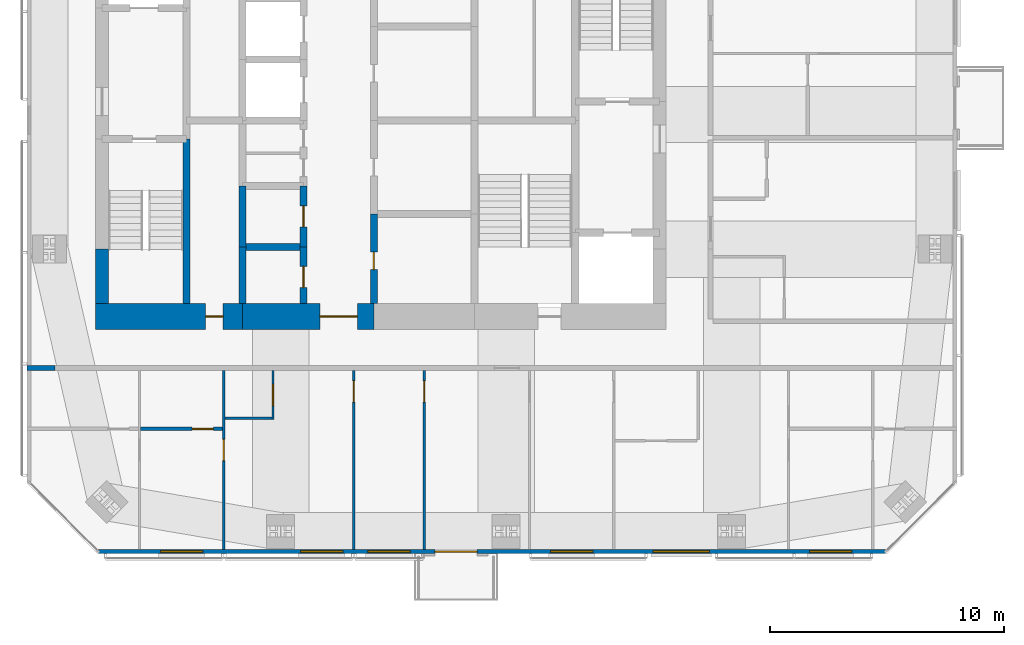
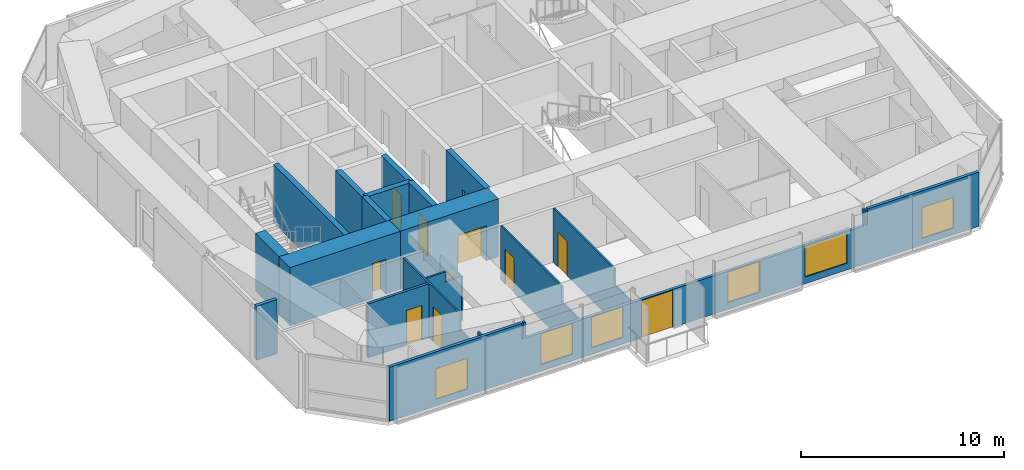
# One storey, part 13 of 18: 18 walls, 11 doors, 6 windows, 17 openings.
"""IFC4 building model written with IfcOpenShell, lengths in metres."""

from ifc_helpers import new_model, si_unit, direction, frame, frame_2d, origin, place, context, subcontext, project, spatial, polyline, rectangle, outline, extrude, material, layer, layer_set, constituent, constituent_set, type_object, element, fill, save


model = new_model("IFC4")

# Units and contexts
model_context = context("Model", 3, precision=1e-05, world=origin(), true_north=direction((0.0, 1.0)))
body_context = subcontext(model_context, "Body", "Model", "MODEL_VIEW")
ifc_project = project(units=[si_unit("LENGTHUNIT", "METRE"), si_unit("AREAUNIT", "SQUARE_METRE"), si_unit("VOLUMEUNIT", "CUBIC_METRE"), si_unit("PLANEANGLEUNIT", "RADIAN"), si_unit("MASSUNIT", "GRAM", prefix="KILO")], contexts=[model_context])

# Site, building, storey
site_placement = place(None, origin())
site = spatial("IfcSite", under=ifc_project, at=site_placement, CompositionType="ELEMENT")
building_placement = place(site_placement, origin())
building = spatial("IfcBuilding", under=site, at=building_placement, Name="Jalousie Tower", CompositionType="ELEMENT")
storey_placement = place(building_placement, frame((0.0, 0.0, 252.949951171875)))
storey = spatial("IfcBuildingStorey", under=building, at=storey_placement, Name="L69", CompositionType="ELEMENT", Elevation=252.949951171875)

# Wall, opening, door
ifc_material_1 = material(Name="Concrete block ASTM C90", Category="concrete")
ifc_constituent_1 = constituent(ifc_material_1, Name="Body")
ifc_material_2 = material(Name="Render")
ifc_constituent_2 = constituent(ifc_material_2, Name="Finish")
ifc_constituent_set_1 = constituent_set(constituents=[ifc_constituent_1, ifc_constituent_2])
wall_type_1 = type_object("IfcWallType", Name="BATHROOM WALL 150", PredefinedType="PLUMBINGWALL", material=ifc_constituent_set_1)
wall_1_placement = place(storey_placement, frame((21.64990234375, 5.324951171875, 0.0), z_axis=(0.0, 0.0, 1.0), x_axis=(1.0, 0.0, 0.0)))
wall_1 = element("IfcWall", 1, at=wall_1_placement, inside=storey, type_object=wall_type_1, Name="Bathroom Wall 150 L69", PredefinedType="PLUMBINGWALL", context=body_context, shape_type="SweptSolid", body=[
    extrude(rectangle(XDim=3.5, YDim=0.14990234375, at=frame_2d((1.75, 0.0))), origin(), (0.0, 0.0, 1.0), 3.260009765625),
])
opening_1_placement = place(wall_1_placement, frame((2.199951171875, 0.0, 0.0)))
opening_1 = element("IfcOpeningElement", 2, at=opening_1_placement, cuts=wall_1, Name="Opening D3", PredefinedType="OPENING", context=body_context, shape_type="SweptSolid", body=[
    extrude(rectangle(XDim=0.89990234375, YDim=2.10009765625, at=frame_2d((0.449951171875, 1.050048828125))), frame((0.0, 0.0849609375, 0.0), z_axis=(0.0, -1.0, 0.0), x_axis=(1.0, 0.0, 0.0)), (0.0, 0.0, 1.0), 0.169921875),
])
ifc_material_3 = material(Name="Timber door", Category="wood")
door_type_1 = type_object("IfcDoorType", Name="BATHROOM DOOR 900", OperationType="SINGLE_SWING_LEFT", PredefinedType="DOOR", material=ifc_material_3)
door_1_placement = place(opening_1_placement, origin())
door_1 = element("IfcDoor", 3, at=door_1_placement, inside=storey, type_object=door_type_1, Name="Apartment 6901 bedroom 2 bathroom door", OperationType="SINGLE_SWING_RIGHT", OverallHeight=2.10009765625, OverallWidth=0.89990234375, PredefinedType="DOOR", context=body_context, shape_type="SweptSolid", body=[
    extrude(rectangle(XDim=0.89990234375, YDim=2.10009765625, at=frame_2d((0.449951171875, 1.050048828125))), frame((0.0, 0.02490234375, 0.0), z_axis=(0.0, -1.0, 0.0), x_axis=(1.0, 0.0, 0.0)), (0.0, 0.0, 1.0), 0.050048828125),
])
fill(opening_1, door_1)

ifc_material_4 = material(Name="Concrete f'c 120 MPa", Category="concrete")
ifc_layer_1 = layer(ifc_material_4, 1.10009765625)
ifc_layer_set_1 = layer_set([ifc_layer_1], Name="Concrete f'c 120 MPa")
wall_type_2 = type_object("IfcWallType", Name="CORE WALL 1100", PredefinedType="SHEAR", material=ifc_layer_set_1)
wall_2_placement = place(storey_placement, frame((19.72509765625, 10.125, 0.0), z_axis=(0.0, 0.0, 1.0), x_axis=(1.0, 0.0, 0.0)))
wall_2 = element("IfcWall", 4, at=wall_2_placement, inside=storey, type_object=wall_type_2, Name="Core wall SA L69", PredefinedType="SHEAR", context=body_context, shape_type="SweptSolid", body=[
    extrude(rectangle(XDim=6.27490234375, YDim=1.10009765625, at=frame_2d((3.137451171875, 0.0))), origin(), (0.0, 0.0, 1.0), 3.5),
])
opening_2_placement = place(wall_2_placement, frame((4.699951171875, 0.0, 0.0)))
opening_2 = element("IfcOpeningElement", 5, at=opening_2_placement, cuts=wall_2, Name="Opening D16", PredefinedType="OPENING", context=body_context, shape_type="SweptSolid", body=[
    extrude(rectangle(XDim=0.75, YDim=2.10009765625, at=frame_2d((0.375, 1.050048828125))), frame((0.0, 0.56005859375, 0.0), z_axis=(0.0, -1.0, 0.0), x_axis=(1.0, 0.0, 0.0)), (0.0, 0.0, 1.0), 1.1201171875),
])
ifc_material_5 = material(Name="Steel fire door", Category="steel")
door_type_2 = type_object("IfcDoorType", Name="RISER DOOR 750", OperationType="SINGLE_SWING_LEFT", PredefinedType="DOOR", material=ifc_material_5)
door_2_placement = place(opening_2_placement, origin())
door_2 = element("IfcDoor", 6, at=door_2_placement, inside=storey, type_object=door_type_2, Name="South riser door", OperationType="SINGLE_SWING_RIGHT", OverallHeight=2.10009765625, OverallWidth=0.75, PredefinedType="DOOR", context=body_context, shape_type="SweptSolid", body=[
    extrude(rectangle(XDim=0.75, YDim=2.10009765625, at=frame_2d((0.375, 1.050048828125))), frame((0.0, 0.02490234375, 0.0), z_axis=(0.0, -1.0, 0.0), x_axis=(1.0, 0.0, 0.0)), (0.0, 0.0, 1.0), 0.050048828125),
])
fill(opening_2, door_2)

wall_3_placement = place(storey_placement, frame((26.0, 10.125, 0.0), z_axis=(0.0, 0.0, 1.0), x_axis=(1.0, 0.0, 0.0)))
wall_3 = element("IfcWall", 7, at=wall_3_placement, inside=storey, type_object=wall_type_2, Name="Core wall SB L69", PredefinedType="SHEAR", context=body_context, shape_type="SweptSolid", body=[
    extrude(rectangle(XDim=5.60009765625, YDim=1.10009765625, at=frame_2d((2.800048828125, 0.0))), origin(), (0.0, 0.0, 1.0), 3.5),
])
opening_3_placement = place(wall_3_placement, frame((3.300048828125, 0.0, 0.0)))
opening_3 = element("IfcOpeningElement", 8, at=opening_3_placement, cuts=wall_3, Name="Opening D15", PredefinedType="OPENING", context=body_context, shape_type="SweptSolid", body=[
    extrude(rectangle(XDim=1.60009765625, YDim=2.10009765625, at=frame_2d((0.800048828125, 1.050048828125))), frame((0.0, 0.56005859375, 0.0), z_axis=(0.0, -1.0, 0.0), x_axis=(1.0, 0.0, 0.0)), (0.0, 0.0, 1.0), 1.1201171875),
])
ifc_material_6 = material(Name="Steel fire door", Category="steel")
door_type_3 = type_object("IfcDoorType", Name="LIFT LOBBY DOOR 1600", OperationType="DOUBLE_DOOR_SINGLE_SWING", PredefinedType="DOOR", material=ifc_material_6)
door_3_placement = place(opening_3_placement, origin())
door_3 = element("IfcDoor", 9, at=door_3_placement, inside=storey, type_object=door_type_3, Name="Lift lobby south door", OperationType="DOUBLE_DOOR_SINGLE_SWING", OverallHeight=2.10009765625, OverallWidth=1.60009765625, PredefinedType="DOOR", context=body_context, shape_type="SweptSolid", body=[
    extrude(rectangle(XDim=1.60009765625, YDim=2.10009765625, at=frame_2d((0.800048828125, 1.050048828125))), frame((0.0, 0.02490234375, 0.0), z_axis=(0.0, -1.0, 0.0), x_axis=(1.0, 0.0, 0.0)), (0.0, 0.0, 1.0), 0.050048828125),
])
fill(opening_3, door_3)

# Walls
ifc_material_7 = material(Name="Concrete f'c 120 MPa", Category="concrete")
ifc_layer_2 = layer(ifc_material_7, 0.300048828125)
ifc_layer_set_2 = layer_set([ifc_layer_2], Name="Concrete f'c 120 MPa")
wall_type_3 = type_object("IfcWallType", Name="CORE WALL 300", PredefinedType="SHEAR", material=ifc_layer_set_2)
wall_4_placement = place(storey_placement, frame((23.60009765625, 10.675048828125, 0.0), z_axis=(0.0, 0.0, 1.0), x_axis=(0.0, 1.0, 0.0)))
element("IfcWall", 10, at=wall_4_placement, inside=storey, type_object=wall_type_3, Name="Core wall X23.6A L69", PredefinedType="SHEAR", context=body_context, shape_type="SweptSolid", body=[
    extrude(rectangle(XDim=7.02490234375, YDim=0.300048828125, at=frame_2d((3.512451171875, 0.0))), origin(), (0.0, 0.0, 1.0), 3.5),
])
wall_5_placement = place(storey_placement, frame((26.0, 10.675048828125, 0.0), z_axis=(0.0, 0.0, 1.0), x_axis=(0.0, 1.0, 0.0)))
element("IfcWall", 11, at=wall_5_placement, inside=storey, type_object=wall_type_3, Name="Core wall X26A L69", PredefinedType="SHEAR", context=body_context, shape_type="SweptSolid", body=[
    extrude(rectangle(XDim=2.425048828125, YDim=0.300048828125, at=frame_2d((1.21240234375, 0.0))), origin(), (0.0, 0.0, 1.0), 3.5),
])
wall_6_placement = place(storey_placement, frame((26.0, 13.10009765625, 0.0), z_axis=(0.0, 0.0, 1.0), x_axis=(0.0, 1.0, 0.0)))
element("IfcWall", 12, at=wall_6_placement, inside=storey, type_object=wall_type_3, Name="Core wall X26B L69", PredefinedType="SHEAR", context=body_context, shape_type="SweptSolid", body=[
    extrude(rectangle(XDim=2.599853515625, YDim=0.300048828125, at=frame_2d((1.2998046875, 0.0))), origin(), (0.0, 0.0, 1.0), 3.5),
])

# Wall, opening, door
wall_7_placement = place(storey_placement, frame((28.60009765625, 10.675048828125, 0.0), z_axis=(0.0, 0.0, 1.0), x_axis=(0.0, 1.0, 0.0)))
wall_7 = element("IfcWall", 13, at=wall_7_placement, inside=storey, type_object=wall_type_3, Name="Core wall X28.6A L69", PredefinedType="SHEAR", context=body_context, shape_type="SweptSolid", body=[
    extrude(rectangle(XDim=2.425048828125, YDim=0.300048828125, at=frame_2d((1.21240234375, 0.0))), origin(), (0.0, 0.0, 1.0), 3.5),
])
opening_4_placement = place(wall_7_placement, frame((0.6875, 0.0, 0.0)))
opening_4 = element("IfcOpeningElement", 14, at=opening_4_placement, cuts=wall_7, Name="Opening D24", PredefinedType="OPENING", context=body_context, shape_type="SweptSolid", body=[
    extrude(rectangle(XDim=0.89990234375, YDim=2.10009765625, at=frame_2d((0.449951171875, 1.050048828125))), frame((0.0, 0.159912109375, 0.0), z_axis=(0.0, -1.0, 0.0), x_axis=(1.0, 0.0, 0.0)), (0.0, 0.0, 1.0), 0.320068359375),
])
ifc_material_8 = material(Name="Steel fire door", Category="steel")
door_type_4 = type_object("IfcDoorType", Name="CORE ROOM DOOR 900", OperationType="SINGLE_SWING_LEFT", PredefinedType="DOOR", material=ifc_material_8)
door_4_placement = place(opening_4_placement, origin())
door_4 = element("IfcDoor", 15, at=door_4_placement, inside=storey, type_object=door_type_4, Name="Staff WC door", OperationType="SINGLE_SWING_RIGHT", OverallHeight=2.10009765625, OverallWidth=0.89990234375, PredefinedType="DOOR", context=body_context, shape_type="SweptSolid", body=[
    extrude(rectangle(XDim=0.89990234375, YDim=2.10009765625, at=frame_2d((0.449951171875, 1.050048828125))), frame((0.0, 0.02490234375, 0.0), z_axis=(0.0, -1.0, 0.0), x_axis=(1.0, 0.0, 0.0)), (0.0, 0.0, 1.0), 0.050048828125),
])
fill(opening_4, door_4)

wall_8_placement = place(storey_placement, frame((28.60009765625, 13.10009765625, 0.0), z_axis=(0.0, 0.0, 1.0), x_axis=(0.0, 1.0, 0.0)))
wall_8 = element("IfcWall", 16, at=wall_8_placement, inside=storey, type_object=wall_type_3, Name="Core wall X28.6B L69", PredefinedType="SHEAR", context=body_context, shape_type="SweptSolid", body=[
    extrude(rectangle(XDim=2.599853515625, YDim=0.300048828125, at=frame_2d((1.2998046875, 0.0))), origin(), (0.0, 0.0, 1.0), 3.5),
])
opening_5_placement = place(wall_8_placement, frame((0.85009765625, 0.0, 0.0)))
opening_5 = element("IfcOpeningElement", 17, at=opening_5_placement, cuts=wall_8, Name="Opening D24", PredefinedType="OPENING", context=body_context, shape_type="SweptSolid", body=[
    extrude(rectangle(XDim=0.89990234375, YDim=2.10009765625, at=frame_2d((0.449951171875, 1.050048828125))), frame((0.0, 0.159912109375, 0.0), z_axis=(0.0, -1.0, 0.0), x_axis=(1.0, 0.0, 0.0)), (0.0, 0.0, 1.0), 0.320068359375),
])
door_5_placement = place(opening_5_placement, origin())
door_5 = element("IfcDoor", 18, at=door_5_placement, inside=storey, type_object=door_type_4, Name="Pantry door", OperationType="SINGLE_SWING_RIGHT", OverallHeight=2.10009765625, OverallWidth=0.89990234375, PredefinedType="DOOR", context=body_context, shape_type="SweptSolid", body=[
    extrude(rectangle(XDim=0.89990234375, YDim=2.10009765625, at=frame_2d((0.449951171875, 1.050048828125))), frame((0.0, 0.02490234375, 0.0), z_axis=(0.0, -1.0, 0.0), x_axis=(1.0, 0.0, 0.0)), (0.0, 0.0, 1.0), 0.050048828125),
])
fill(opening_5, door_5)

wall_9_placement = place(storey_placement, frame((31.60009765625, 10.675048828125, 0.0), z_axis=(0.0, 0.0, 1.0), x_axis=(0.0, 1.0, 0.0)))
wall_9 = element("IfcWall", 19, at=wall_9_placement, inside=storey, type_object=wall_type_3, Name="Core wall X31.6A L69", PredefinedType="SHEAR", context=body_context, shape_type="SweptSolid", body=[
    extrude(rectangle(XDim=3.824951171875, YDim=0.300048828125, at=frame_2d((1.91259765625, 0.0))), origin(), (0.0, 0.0, 1.0), 3.5),
])
opening_6_placement = place(wall_9_placement, frame((1.449951171875, 0.0, 0.0)))
opening_6 = element("IfcOpeningElement", 20, at=opening_6_placement, cuts=wall_9, Name="Opening D16", PredefinedType="OPENING", context=body_context, shape_type="SweptSolid", body=[
    extrude(rectangle(XDim=0.75, YDim=2.10009765625, at=frame_2d((0.375, 1.050048828125))), frame((0.0, 0.159912109375, 0.0), z_axis=(0.0, -1.0, 0.0), x_axis=(1.0, 0.0, 0.0)), (0.0, 0.0, 1.0), 0.320068359375),
])
door_6_placement = place(opening_6_placement, frame((0.75, 0.0, 0.0), z_axis=(0.0, 0.0, 1.0), x_axis=(-1.0, 0.0, 0.0)))
door_6 = element("IfcDoor", 21, at=door_6_placement, inside=storey, type_object=door_type_2, Name="Refuse Room door", OperationType="SINGLE_SWING_RIGHT", OverallHeight=2.10009765625, OverallWidth=0.75, PredefinedType="DOOR", context=body_context, shape_type="SweptSolid", body=[
    extrude(rectangle(XDim=0.75, YDim=2.10009765625, at=frame_2d((0.375, 1.050048828125))), frame((0.0, 0.02490234375, 0.0), z_axis=(0.0, -1.0, 0.0), x_axis=(1.0, 0.0, 0.0)), (0.0, 0.0, 1.0), 0.050048828125),
])
fill(opening_6, door_6)

# Walls
wall_10_placement = place(storey_placement, frame((26.0, 13.10009765625, 0.0), z_axis=(0.0, 0.0, 1.0), x_axis=(1.0, 0.0, 0.0)))
element("IfcWall", 22, at=wall_10_placement, inside=storey, type_object=wall_type_3, Name="Core wall Y26-13.1 L69", PredefinedType="SHEAR", context=body_context, shape_type="SweptSolid", body=[
    extrude(rectangle(XDim=2.60009765625, YDim=0.300048828125, at=frame_2d((1.300048828125, 0.0))), origin(), (0.0, 0.0, 1.0), 3.5),
])
ifc_material_9 = material(Name="Concrete f'c 120 MPa", Category="concrete")
ifc_layer_3 = layer(ifc_material_9, 0.550048828125)
ifc_layer_set_3 = layer_set([ifc_layer_3], Name="Concrete f'c 120 MPa")
wall_type_4 = type_object("IfcWallType", Name="CORE WALL 550", PredefinedType="SHEAR", material=ifc_layer_set_3)
wall_11_placement = place(storey_placement, frame((20.0, 13.0, 0.0), z_axis=(0.0, 0.0, 1.0), x_axis=(0.0, -1.0, 0.0)))
element("IfcWall", 23, at=wall_11_placement, inside=storey, type_object=wall_type_4, Name="Core wall WD L69", PredefinedType="SHEAR", context=body_context, shape_type="SweptSolid", body=[
    extrude(rectangle(XDim=2.324951171875, YDim=0.550048828125, at=frame_2d((1.16259765625, 0.0))), origin(), (0.0, 0.0, 1.0), 3.5),
])

# Wall, openings, door, windows
ifc_material_10 = material(Name="Concrete f'c 40 MPa", Category="concrete")
ifc_constituent_3 = constituent(ifc_material_10, Name="Body")
ifc_material_11 = material(Name="Render, pastel sky blue")
ifc_constituent_4 = constituent(ifc_material_11, Name="Finish")
ifc_constituent_set_2 = constituent_set(constituents=[ifc_constituent_3, ifc_constituent_4])
wall_type_5 = type_object("IfcWallType", Name="EXTERNAL WALL 175 SKY BLUE RENDER", PredefinedType="SOLIDWALL", material=ifc_constituent_set_2)
wall_12_placement = place(storey_placement, frame((19.851318359375, 0.08740234375, 0.0), z_axis=(0.0, 0.0, 1.0), x_axis=(1.0, 0.0, 0.0)))
wall_12 = element("IfcWall", 24, at=wall_12_placement, inside=storey, type_object=wall_type_5, Name="External Wall 175 Sky Blue Render L69", PredefinedType="SOLIDWALL", context=body_context, shape_type="SweptSolid", body=[
    extrude(outline(polyline([(0.0, 0.0), (33.597412109375, 0.0), (33.597412109375, 3.260009765625), (27.238525390625, 3.260009765625), (27.238525390625, 2.300048828125), (27.155029296875, 2.300048828125), (27.155029296875, 3.260009765625), (27.023681640625, 3.260009765625), (27.023681640625, 2.300048828125), (7.773681640625, 2.300048828125), (7.773681640625, 3.260009765625), (7.642333984375, 3.260009765625), (7.642333984375, 2.300048828125), (7.558837890625, 2.300048828125), (7.558837890625, 3.260009765625), (0.0, 3.260009765625), (0.0, 0.0)])), frame((0.0, 0.08740234375, 0.0), z_axis=(0.0, -1.0, 0.0), x_axis=(1.0, 0.0, 0.0)), (0.0, 0.0, 1.0), 0.175048828125),
])
opening_7_placement = place(wall_12_placement, frame((2.648681640625, 0.0, 0.39990234375)))
opening_7 = element("IfcOpeningElement", 25, at=opening_7_placement, cuts=wall_12, Name="Opening W-BED185", PredefinedType="OPENING", context=body_context, shape_type="SweptSolid", body=[
    extrude(rectangle(XDim=1.800048828125, YDim=1.85009765625, at=frame_2d((0.89990234375, 0.925048828125))), frame((0.0, 0.097412109375, 0.0), z_axis=(0.0, -1.0, 0.0), x_axis=(1.0, 0.0, 0.0)), (0.0, 0.0, 1.0), 0.195068359375),
])
opening_8_placement = place(wall_12_placement, frame((8.625, 0.0, 0.39990234375)))
opening_8 = element("IfcOpeningElement", 26, at=opening_8_placement, cuts=wall_12, Name="Opening W-BED185", PredefinedType="OPENING", context=body_context, shape_type="SweptSolid", body=[
    extrude(rectangle(XDim=1.800048828125, YDim=1.85009765625, at=frame_2d((0.89990234375, 0.925048828125))), frame((0.0, 0.097412109375, 0.0), z_axis=(0.0, -1.0, 0.0), x_axis=(1.0, 0.0, 0.0)), (0.0, 0.0, 1.0), 0.195068359375),
])
opening_9_placement = place(wall_12_placement, frame((11.498779296875, 0.0, 0.39990234375)))
opening_9 = element("IfcOpeningElement", 27, at=opening_9_placement, cuts=wall_12, Name="Opening W-BED185", PredefinedType="OPENING", context=body_context, shape_type="SweptSolid", body=[
    extrude(rectangle(XDim=1.800048828125, YDim=1.85009765625, at=frame_2d((0.89990234375, 0.925048828125))), frame((0.0, 0.097412109375, 0.0), z_axis=(0.0, -1.0, 0.0), x_axis=(1.0, 0.0, 0.0)), (0.0, 0.0, 1.0), 0.195068359375),
])
opening_10_placement = place(wall_12_placement, frame((14.358642578125, 0.0, 0.0)))
opening_10 = element("IfcOpeningElement", 28, at=opening_10_placement, cuts=wall_12, Name="Opening D-BAL22", PredefinedType="OPENING", context=body_context, shape_type="SweptSolid", body=[
    extrude(rectangle(XDim=1.800048828125, YDim=2.25, at=frame_2d((0.89990234375, 1.125))), frame((0.0, 0.097412109375, 0.0), z_axis=(0.0, -1.0, 0.0), x_axis=(1.0, 0.0, 0.0)), (0.0, 0.0, 1.0), 0.195068359375),
])
opening_11_placement = place(wall_12_placement, frame((19.298583984375, 0.0, 0.39990234375)))
opening_11 = element("IfcOpeningElement", 29, at=opening_11_placement, cuts=wall_12, Name="Opening W-BED185", PredefinedType="OPENING", context=body_context, shape_type="SweptSolid", body=[
    extrude(rectangle(XDim=1.800048828125, YDim=1.85009765625, at=frame_2d((0.89990234375, 0.925048828125))), frame((0.0, 0.097412109375, 0.0), z_axis=(0.0, -1.0, 0.0), x_axis=(1.0, 0.0, 0.0)), (0.0, 0.0, 1.0), 0.195068359375),
])
opening_12_placement = place(wall_12_placement, frame((23.673583984375, 0.0, 0.39990234375)))
opening_12 = element("IfcOpeningElement", 30, at=opening_12_placement, cuts=wall_12, Name="Opening W-LIV185", PredefinedType="OPENING", context=body_context, shape_type="SweptSolid", body=[
    extrude(rectangle(XDim=2.39990234375, YDim=1.85009765625, at=frame_2d((1.199951171875, 0.925048828125))), frame((0.0, 0.097412109375, 0.0), z_axis=(0.0, -1.0, 0.0), x_axis=(1.0, 0.0, 0.0)), (0.0, 0.0, 1.0), 0.195068359375),
])
opening_13_placement = place(wall_12_placement, frame((30.3486328125, 0.0, 0.39990234375)))
opening_13 = element("IfcOpeningElement", 31, at=opening_13_placement, cuts=wall_12, Name="Opening W-BED185", PredefinedType="OPENING", context=body_context, shape_type="SweptSolid", body=[
    extrude(rectangle(XDim=1.800048828125, YDim=1.85009765625, at=frame_2d((0.89990234375, 0.925048828125))), frame((0.0, 0.097412109375, 0.0), z_axis=(0.0, -1.0, 0.0), x_axis=(1.0, 0.0, 0.0)), (0.0, 0.0, 1.0), 0.195068359375),
])
ifc_material_12 = material(Name="Aluminium frame, impact-rated glazing", Category="aluminium")
door_type_5 = type_object("IfcDoorType", Name="BALCONY DOOR 1800x2250", OperationType="SLIDING_TO_LEFT", PredefinedType="DOOR", material=ifc_material_12)
door_7_placement = place(opening_10_placement, origin())
door_7 = element("IfcDoor", 32, at=door_7_placement, inside=storey, type_object=door_type_5, Name="Apartment 6901 snug balcony door", OperationType="SLIDING_TO_LEFT", OverallHeight=2.25, OverallWidth=1.800048828125, PredefinedType="DOOR", context=body_context, shape_type="SweptSolid", body=[
    extrude(rectangle(XDim=1.800048828125, YDim=2.25, at=frame_2d((0.89990234375, 1.125))), frame((0.0, 0.02490234375, 0.0), z_axis=(0.0, -1.0, 0.0), x_axis=(1.0, 0.0, 0.0)), (0.0, 0.0, 1.0), 0.050048828125),
])
fill(opening_10, door_7)
ifc_material_13 = material(Name="Aluminium frame, impact-rated glazing", Category="aluminium")
window_type_1 = type_object("IfcWindowType", Name="WINDOW BED 1800x1850", PartitioningType="SINGLE_PANEL", PredefinedType="WINDOW", material=ifc_material_13)
window_1_placement = place(opening_7_placement, origin())
window_1 = element("IfcWindow", 33, at=window_1_placement, inside=storey, type_object=window_type_1, Name="Apartment 6901 bedroom 2 window", OverallHeight=1.85009765625, OverallWidth=1.800048828125, PartitioningType="SINGLE_PANEL", PredefinedType="WINDOW", context=body_context, shape_type="SweptSolid", body=[
    extrude(rectangle(XDim=1.800048828125, YDim=1.85009765625, at=frame_2d((0.89990234375, 0.925048828125))), frame((0.0, 0.030029296875, 0.0), z_axis=(0.0, -1.0, 0.0), x_axis=(1.0, 0.0, 0.0)), (0.0, 0.0, 1.0), 0.06005859375),
])
fill(opening_7, window_1)
window_2_placement = place(opening_8_placement, origin())
window_2 = element("IfcWindow", 34, at=window_2_placement, inside=storey, type_object=window_type_1, Name="Apartment 6901 study window", OverallHeight=1.85009765625, OverallWidth=1.800048828125, PartitioningType="SINGLE_PANEL", PredefinedType="WINDOW", context=body_context, shape_type="SweptSolid", body=[
    extrude(rectangle(XDim=1.800048828125, YDim=1.85009765625, at=frame_2d((0.89990234375, 0.925048828125))), frame((0.0, 0.030029296875, 0.0), z_axis=(0.0, -1.0, 0.0), x_axis=(1.0, 0.0, 0.0)), (0.0, 0.0, 1.0), 0.06005859375),
])
fill(opening_8, window_2)
window_3_placement = place(opening_9_placement, origin())
window_3 = element("IfcWindow", 35, at=window_3_placement, inside=storey, type_object=window_type_1, Name="Apartment 6901 home office window", OverallHeight=1.85009765625, OverallWidth=1.800048828125, PartitioningType="SINGLE_PANEL", PredefinedType="WINDOW", context=body_context, shape_type="SweptSolid", body=[
    extrude(rectangle(XDim=1.800048828125, YDim=1.85009765625, at=frame_2d((0.89990234375, 0.925048828125))), frame((0.0, 0.030029296875, 0.0), z_axis=(0.0, -1.0, 0.0), x_axis=(1.0, 0.0, 0.0)), (0.0, 0.0, 1.0), 0.06005859375),
])
fill(opening_9, window_3)
window_4_placement = place(opening_11_placement, origin())
window_4 = element("IfcWindow", 36, at=window_4_placement, inside=storey, type_object=window_type_1, Name="Apartment 6901 den window", OverallHeight=1.85009765625, OverallWidth=1.800048828125, PartitioningType="SINGLE_PANEL", PredefinedType="WINDOW", context=body_context, shape_type="SweptSolid", body=[
    extrude(rectangle(XDim=1.800048828125, YDim=1.85009765625, at=frame_2d((0.89990234375, 0.925048828125))), frame((0.0, 0.030029296875, 0.0), z_axis=(0.0, -1.0, 0.0), x_axis=(1.0, 0.0, 0.0)), (0.0, 0.0, 1.0), 0.06005859375),
])
fill(opening_11, window_4)
window_5_placement = place(opening_13_placement, origin())
window_5 = element("IfcWindow", 37, at=window_5_placement, inside=storey, type_object=window_type_1, Name="Apartment 6901 bedroom 3 window", OverallHeight=1.85009765625, OverallWidth=1.800048828125, PartitioningType="SINGLE_PANEL", PredefinedType="WINDOW", context=body_context, shape_type="SweptSolid", body=[
    extrude(rectangle(XDim=1.800048828125, YDim=1.85009765625, at=frame_2d((0.89990234375, 0.925048828125))), frame((0.0, 0.030029296875, 0.0), z_axis=(0.0, -1.0, 0.0), x_axis=(1.0, 0.0, 0.0)), (0.0, 0.0, 1.0), 0.06005859375),
])
fill(opening_13, window_5)
ifc_material_14 = material(Name="Aluminium frame, impact-rated glazing", Category="aluminium")
window_type_2 = type_object("IfcWindowType", Name="WINDOW LIV 2400x1850", PartitioningType="DOUBLE_PANEL_VERTICAL", PredefinedType="WINDOW", material=ifc_material_14)
window_6_placement = place(opening_12_placement, origin())
window_6 = element("IfcWindow", 38, at=window_6_placement, inside=storey, type_object=window_type_2, Name="Apartment 6901 living and dining room window", OverallHeight=1.85009765625, OverallWidth=2.39990234375, PartitioningType="SINGLE_PANEL", PredefinedType="WINDOW", context=body_context, shape_type="SweptSolid", body=[
    extrude(rectangle(XDim=2.39990234375, YDim=1.85009765625, at=frame_2d((1.199951171875, 0.925048828125))), frame((0.0, 0.030029296875, 0.0), z_axis=(0.0, -1.0, 0.0), x_axis=(1.0, 0.0, 0.0)), (0.0, 0.0, 1.0), 0.06005859375),
])
fill(opening_12, window_6)

# Wall, opening, door
ifc_material_15 = material(Name="Gypsum board", Category="gypsum")
ifc_constituent_5 = constituent(ifc_material_15, Name="Body")
ifc_material_16 = material(Name="Light-gauge steel studs ASTM A653 SS Grade 33", Category="steel")
ifc_constituent_6 = constituent(ifc_material_16, Name="Framing")
ifc_constituent_set_3 = constituent_set(constituents=[ifc_constituent_5, ifc_constituent_6])
wall_type_6 = type_object("IfcWallType", Name="PARTITION 100", PredefinedType="PARTITIONING", material=ifc_constituent_set_3)
wall_13_placement = place(storey_placement, frame((25.199951171875, 0.175048828125, 0.0), z_axis=(0.0, 0.0, 1.0), x_axis=(0.0, 1.0, 0.0)))
wall_13 = element("IfcWall", 39, at=wall_13_placement, inside=storey, type_object=wall_type_6, Name="Partition 100 L69", PredefinedType="PARTITIONING", context=body_context, shape_type="SweptSolid", body=[
    extrude(outline(polyline([(0.0, 0.0), (7.64990234375, 0.0), (7.64990234375, 3.260009765625), (2.05810546875, 3.260009765625), (2.05810546875, 2.300048828125), (0.313720703125, 2.300048828125), (0.313720703125, 3.260009765625), (0.0, 3.260009765625), (0.0, 0.0)])), frame((0.0, 0.050048828125, 0.0), z_axis=(0.0, -1.0, 0.0), x_axis=(1.0, 0.0, 0.0)), (0.0, 0.0, 1.0), 0.10009765625),
])
opening_14_placement = place(wall_13_placement, frame((3.800048828125, 0.0, 0.0)))
opening_14 = element("IfcOpeningElement", 40, at=opening_14_placement, cuts=wall_13, Name="Opening D2", PredefinedType="OPENING", context=body_context, shape_type="SweptSolid", body=[
    extrude(rectangle(XDim=0.89990234375, YDim=2.10009765625, at=frame_2d((0.449951171875, 1.050048828125))), frame((0.0, 0.06005859375, 0.0), z_axis=(0.0, -1.0, 0.0), x_axis=(1.0, 0.0, 0.0)), (0.0, 0.0, 1.0), 0.1201171875),
])
ifc_material_17 = material(Name="Timber door", Category="wood")
door_type_6 = type_object("IfcDoorType", Name="BEDROOM DOOR 900", OperationType="SINGLE_SWING_LEFT", PredefinedType="DOOR", material=ifc_material_17)
door_8_placement = place(opening_14_placement, frame((0.89990234375, 0.0, 0.0), z_axis=(0.0, 0.0, 1.0), x_axis=(-1.0, 0.0, 0.0)))
door_8 = element("IfcDoor", 41, at=door_8_placement, inside=storey, type_object=door_type_6, Name="Apartment 6901 bedroom 2 door", OperationType="SINGLE_SWING_LEFT", OverallHeight=2.10009765625, OverallWidth=0.89990234375, PredefinedType="DOOR", context=body_context, shape_type="SweptSolid", body=[
    extrude(rectangle(XDim=0.89990234375, YDim=2.10009765625, at=frame_2d((0.449951171875, 1.050048828125))), frame((0.0, 0.02490234375, 0.0), z_axis=(0.0, -1.0, 0.0), x_axis=(1.0, 0.0, 0.0)), (0.0, 0.0, 1.0), 0.050048828125),
])
fill(opening_14, door_8)

wall_14_placement = place(storey_placement, frame((30.75, 0.175048828125, 0.0), z_axis=(0.0, 0.0, 1.0), x_axis=(0.0, 1.0, 0.0)))
wall_14 = element("IfcWall", 42, at=wall_14_placement, inside=storey, type_object=wall_type_6, Name="Partition 100 L69", PredefinedType="PARTITIONING", context=body_context, shape_type="SweptSolid", body=[
    extrude(outline(polyline([(0.0, 0.0), (7.64990234375, 0.0), (7.64990234375, 3.260009765625), (1.635009765625, 3.260009765625), (1.635009765625, 2.300048828125), (0.0, 2.300048828125), (0.0, 3.260009765625), (0.0, 0.0)])), frame((0.0, 0.050048828125, 0.0), z_axis=(0.0, -1.0, 0.0), x_axis=(1.0, 0.0, 0.0)), (0.0, 0.0, 1.0), 0.10009765625),
])
opening_15_placement = place(wall_14_placement, frame((6.300048828125, 0.0, 0.0)))
opening_15 = element("IfcOpeningElement", 43, at=opening_15_placement, cuts=wall_14, Name="Opening D2", PredefinedType="OPENING", context=body_context, shape_type="SweptSolid", body=[
    extrude(rectangle(XDim=0.89990234375, YDim=2.10009765625, at=frame_2d((0.449951171875, 1.050048828125))), frame((0.0, 0.06005859375, 0.0), z_axis=(0.0, -1.0, 0.0), x_axis=(1.0, 0.0, 0.0)), (0.0, 0.0, 1.0), 0.1201171875),
])
door_9_placement = place(opening_15_placement, origin())
door_9 = element("IfcDoor", 44, at=door_9_placement, inside=storey, type_object=door_type_6, Name="Apartment 6901 study door", OperationType="SINGLE_SWING_RIGHT", OverallHeight=2.10009765625, OverallWidth=0.89990234375, PredefinedType="DOOR", context=body_context, shape_type="SweptSolid", body=[
    extrude(rectangle(XDim=0.89990234375, YDim=2.10009765625, at=frame_2d((0.449951171875, 1.050048828125))), frame((0.0, 0.02490234375, 0.0), z_axis=(0.0, -1.0, 0.0), x_axis=(1.0, 0.0, 0.0)), (0.0, 0.0, 1.0), 0.050048828125),
])
fill(opening_15, door_9)

wall_15_placement = place(storey_placement, frame((33.75, 0.175048828125, 0.0), z_axis=(0.0, 0.0, 1.0), x_axis=(0.0, 1.0, 0.0)))
wall_15 = element("IfcWall", 45, at=wall_15_placement, inside=storey, type_object=wall_type_6, Name="Partition 100 L69", PredefinedType="PARTITIONING", context=body_context, shape_type="SweptSolid", body=[
    extrude(outline(polyline([(0.0, 0.0), (7.64990234375, 0.0), (7.64990234375, 3.260009765625), (1.635009765625, 3.260009765625), (1.635009765625, 2.300048828125), (0.0, 2.300048828125), (0.0, 3.260009765625), (0.0, 0.0)])), frame((0.0, 0.050048828125, 0.0), z_axis=(0.0, -1.0, 0.0), x_axis=(1.0, 0.0, 0.0)), (0.0, 0.0, 1.0), 0.10009765625),
])
opening_16_placement = place(wall_15_placement, frame((6.300048828125, 0.0, 0.0)))
opening_16 = element("IfcOpeningElement", 46, at=opening_16_placement, cuts=wall_15, Name="Opening D2", PredefinedType="OPENING", context=body_context, shape_type="SweptSolid", body=[
    extrude(rectangle(XDim=0.89990234375, YDim=2.10009765625, at=frame_2d((0.449951171875, 1.050048828125))), frame((0.0, 0.06005859375, 0.0), z_axis=(0.0, -1.0, 0.0), x_axis=(1.0, 0.0, 0.0)), (0.0, 0.0, 1.0), 0.1201171875),
])
door_10_placement = place(opening_16_placement, frame((0.89990234375, 0.0, 0.0), z_axis=(0.0, 0.0, 1.0), x_axis=(-1.0, 0.0, 0.0)))
door_10 = element("IfcDoor", 47, at=door_10_placement, inside=storey, type_object=door_type_6, Name="Apartment 6901 home office door", OperationType="SINGLE_SWING_LEFT", OverallHeight=2.10009765625, OverallWidth=0.89990234375, PredefinedType="DOOR", context=body_context, shape_type="SweptSolid", body=[
    extrude(rectangle(XDim=0.89990234375, YDim=2.10009765625, at=frame_2d((0.449951171875, 1.050048828125))), frame((0.0, 0.02490234375, 0.0), z_axis=(0.0, -1.0, 0.0), x_axis=(1.0, 0.0, 0.0)), (0.0, 0.0, 1.0), 0.050048828125),
])
fill(opening_16, door_10)

wall_16_placement = place(storey_placement, frame((27.300048828125, 7.824951171875, 0.0), z_axis=(0.0, 0.0, 1.0), x_axis=(0.0, -1.0, 0.0)))
wall_16 = element("IfcWall", 48, at=wall_16_placement, inside=storey, type_object=wall_type_6, Name="Partition 100 L69", PredefinedType="PARTITIONING", context=body_context, shape_type="SweptSolid", body=[
    extrude(outline(polyline([(0.0, 0.0), (2.099853515625, 0.0), (2.10009765625, 3.260009765625), (2.10009765625, 2.66015625), (0.0, 2.66015625), (0.0, 3.260009765625), (0.0, 0.0)])), frame((0.0, 0.050048828125, 0.0), z_axis=(0.0, -1.0, 0.0), x_axis=(1.0, 0.0, 0.0)), (0.0, 0.0, 1.0), 0.10009765625),
])
opening_17_placement = place(wall_16_placement, frame((0.60009765625, 0.0, 0.0)))
opening_17 = element("IfcOpeningElement", 49, at=opening_17_placement, cuts=wall_16, Name="Opening D7", PredefinedType="OPENING", context=body_context, shape_type="SweptSolid", body=[
    extrude(rectangle(XDim=0.89990234375, YDim=2.10009765625, at=frame_2d((0.449951171875, 1.050048828125))), frame((0.0, 0.06005859375, 0.0), z_axis=(0.0, -1.0, 0.0), x_axis=(1.0, 0.0, 0.0)), (0.0, 0.0, 1.0), 0.1201171875),
])
ifc_material_18 = material(Name="Timber door", Category="wood")
door_type_7 = type_object("IfcDoorType", Name="INTERNAL DOOR 900", OperationType="SINGLE_SWING_LEFT", PredefinedType="DOOR", material=ifc_material_18)
door_11_placement = place(opening_17_placement, origin())
door_11 = element("IfcDoor", 50, at=door_11_placement, inside=storey, type_object=door_type_7, Name="Apartment 6901 study store room door", OperationType="SINGLE_SWING_LEFT", OverallHeight=2.10009765625, OverallWidth=0.89990234375, PredefinedType="DOOR", context=body_context, shape_type="SweptSolid", body=[
    extrude(rectangle(XDim=0.89990234375, YDim=2.10009765625, at=frame_2d((0.449951171875, 1.050048828125))), frame((0.0, 0.02490234375, 0.0), z_axis=(0.0, -1.0, 0.0), x_axis=(1.0, 0.0, 0.0)), (0.0, 0.0, 1.0), 0.050048828125),
])
fill(opening_17, door_11)

# Walls
wall_17_placement = place(storey_placement, frame((25.25, 5.77490234375, 0.0), z_axis=(0.0, 0.0, 1.0), x_axis=(1.0, 0.0, 0.0)))
element("IfcWall", 51, at=wall_17_placement, inside=storey, type_object=wall_type_6, Name="Partition 100 L69", PredefinedType="PARTITIONING", context=body_context, shape_type="SweptSolid", body=[
    extrude(outline(polyline([(0.0, 0.0), (2.0, 0.0), (2.0, 3.260009765625), (2.0, 2.66015625), (1.114990234375, 2.66015625), (1.114990234375, 3.260009765625), (0.0, 3.260009765625), (0.0, 0.0)])), frame((0.0, 0.050048828125, 0.0), z_axis=(0.0, -1.0, 0.0), x_axis=(1.0, 0.0, 0.0)), (0.0, 0.0, 1.0), 0.10009765625),
])
ifc_material_19 = material(Name="Concrete block ASTM C90", Category="concrete")
ifc_constituent_7 = constituent(ifc_material_19, Name="Body")
ifc_material_20 = material(Name="Render")
ifc_constituent_8 = constituent(ifc_material_20, Name="Finish")
ifc_constituent_set_4 = constituent_set(constituents=[ifc_constituent_7, ifc_constituent_8])
wall_type_7 = type_object("IfcWallType", Name="PARTY WALL 200", PredefinedType="PARTITIONING", material=ifc_constituent_set_4)
wall_18_placement = place(storey_placement, frame((16.800048828125, 7.925048828125, 0.0), z_axis=(0.0, 0.0, 1.0), x_axis=(1.0, 0.0, 0.0)))
element("IfcWall", 52, at=wall_18_placement, inside=storey, type_object=wall_type_7, Name="Party Wall 200 L69", PredefinedType="PARTITIONING", context=body_context, shape_type="SweptSolid", body=[
    extrude(outline(polyline([(0.0, 0.0), (1.199951171875, 0.0), (1.199951171875, 3.260009765625), (1.199951171875, 2.300048828125), (1.172119140625, 2.300048828125), (1.172119140625, 3.260009765625), (0.0, 3.260009765625), (0.0, 0.0)])), frame((0.0, 0.10009765625, 0.0), z_axis=(0.0, -1.0, 0.0), x_axis=(1.0, 0.0, 0.0)), (0.0, 0.0, 1.0), 0.199951171875),
])

save(model, "model.ifc")
